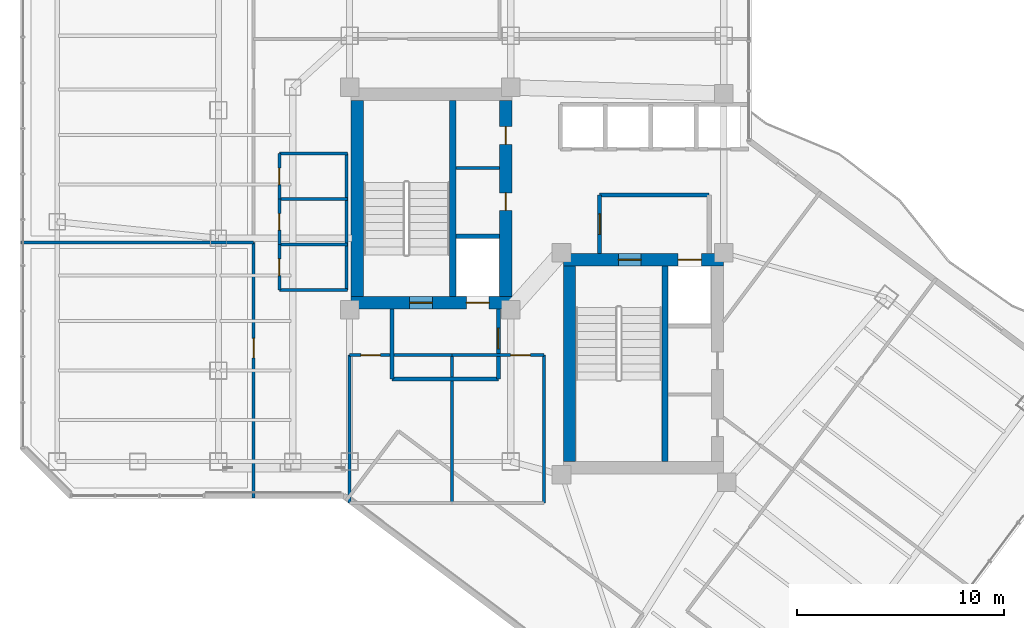
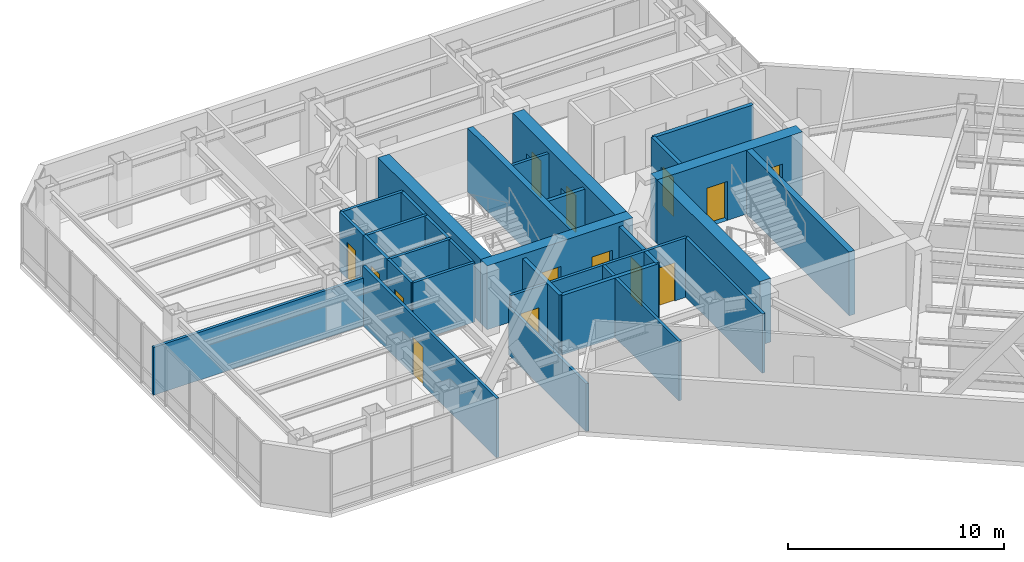
# One storey, part 22 of 27: 29 walls, 14 doors, 14 openings.
"""IFC4 building model written with IfcOpenShell, lengths in metres."""

from ifc_helpers import new_model, si_unit, direction, frame, frame_2d, origin, place, context, subcontext, project, spatial, rectangle, extrude, material, layer, layer_set, type_object, element, fill, save


model = new_model("IFC4")

# Units and contexts
model_context = context("Model", 3, precision=1e-05, world=origin(), true_north=direction((0.0, 1.0)))
body_context = subcontext(model_context, "Body", "Model", "MODEL_VIEW")
ifc_project = project(units=[si_unit("LENGTHUNIT", "METRE"), si_unit("AREAUNIT", "SQUARE_METRE"), si_unit("VOLUMEUNIT", "CUBIC_METRE"), si_unit("PLANEANGLEUNIT", "RADIAN"), si_unit("MASSUNIT", "GRAM", prefix="KILO")], contexts=[model_context])

# Site, building, storey
site_placement = place(None, origin())
site = spatial("IfcSite", under=ifc_project, at=site_placement, CompositionType="ELEMENT")
building_placement = place(site_placement, origin())
building = spatial("IfcBuilding", under=site, at=building_placement, Name="Hatsunagi Terrace Concourse", CompositionType="ELEMENT")
storey_placement = place(building_placement, frame((0.0, 0.0, 156.449951171875)))
storey = spatial("IfcBuildingStorey", under=building, at=storey_placement, Name="L41", CompositionType="ELEMENT", Elevation=156.449951171875)

# Wall, openings, doors
ifc_material_1 = material(Name="Concrete Fc48", Category="concrete")
ifc_layer_1 = layer(ifc_material_1, 0.60009765625)
ifc_layer_set_1 = layer_set([ifc_layer_1], Name="CoreShearWall_Fc48_600")
wall_type_1 = type_object("IfcWallType", Name="CoreShearWall_Fc48_600", PredefinedType="SHEAR", material=ifc_layer_set_1)
wall_1_placement = place(storey_placement, frame((25.6201171875, 32.889892578125, 0.0), z_axis=(0.0, 0.0, 1.0), x_axis=(1.0, 0.0, 0.0)))
wall_1 = element("IfcWall", 1, at=wall_1_placement, inside=storey, type_object=wall_type_1, Name="Core A Shear Wall S L41", PredefinedType="SHEAR", context=body_context, shape_type="SweptSolid", body=[
    extrude(rectangle(XDim=7.77978515625, YDim=0.60009765625, at=frame_2d((3.889892578125, 0.0))), origin(), (0.0, 0.0, 1.0), 3.60009765625),
])
opening_1_placement = place(wall_1_placement, frame((2.830078125, 0.0, 0.0)))
opening_1 = element("IfcOpeningElement", 2, at=opening_1_placement, cuts=wall_1, Name="Opening DR-110S", PredefinedType="OPENING", context=body_context, shape_type="SweptSolid", body=[
    extrude(rectangle(XDim=1.10009765625, YDim=2.199951171875, at=frame_2d((0.550048828125, 1.10009765625))), frame((0.0, 0.31005859375, 0.0), z_axis=(0.0, -1.0, 0.0), x_axis=(1.0, 0.0, 0.0)), (0.0, 0.0, 1.0), 0.6201171875),
])
opening_2_placement = place(wall_1_placement, frame((5.580078125, 0.0, 0.0)))
opening_2 = element("IfcOpeningElement", 3, at=opening_2_placement, cuts=wall_1, Name="Opening LD-01", PredefinedType="OPENING", context=body_context, shape_type="SweptSolid", body=[
    extrude(rectangle(XDim=1.10009765625, YDim=2.14990234375, at=frame_2d((0.550048828125, 1.074951171875))), frame((0.0, 0.31005859375, 0.0), z_axis=(0.0, -1.0, 0.0), x_axis=(1.0, 0.0, 0.0)), (0.0, 0.0, 1.0), 0.6201171875),
])
ifc_material_2 = material(Name="Stainless steel", Category="steel")
door_type_1 = type_object("IfcDoorType", Name="LiftLandingDoor_LD01", OperationType="SLIDING_TO_LEFT", PredefinedType="USERDEFINED", material=ifc_material_2)
door_1_placement = place(opening_2_placement, origin())
door_1 = element("IfcDoor", 4, at=door_1_placement, inside=storey, type_object=door_type_1, Name="Lift landing door FF-01 L41", ObjectType="SLIDING_LANDING_DOOR", OperationType="SLIDING_TO_LEFT", OverallHeight=2.14990234375, OverallWidth=1.10009765625, PredefinedType="USERDEFINED", context=body_context, shape_type="SweptSolid", body=[
    extrude(rectangle(XDim=1.10009765625, YDim=2.14990234375, at=frame_2d((0.550048828125, 1.074951171875))), frame((0.0, 0.02490234375, 0.0), z_axis=(0.0, -1.0, 0.0), x_axis=(1.0, 0.0, 0.0)), (0.0, 0.0, 1.0), 0.050048828125),
])
fill(opening_2, door_1)
ifc_material_3 = material(Name="Painted steel", Category="steel")
door_type_2 = type_object("IfcDoorType", Name="StairFireDoor_EI60_1100", OperationType="NOTDEFINED", PredefinedType="DOOR", material=ifc_material_3)
door_2_placement = place(opening_1_placement, origin())
door_2 = element("IfcDoor", 5, at=door_2_placement, inside=storey, type_object=door_type_2, Name="Stair ST-A Exit Door L41", OperationType="SINGLE_SWING_LEFT", OverallHeight=2.199951171875, OverallWidth=1.10009765625, PredefinedType="DOOR", context=body_context, shape_type="SweptSolid", body=[
    extrude(rectangle(XDim=1.10009765625, YDim=2.199951171875, at=frame_2d((0.550048828125, 1.10009765625))), frame((0.0, 0.02490234375, 0.0), z_axis=(0.0, -1.0, 0.0), x_axis=(1.0, 0.0, 0.0)), (0.0, 0.0, 1.0), 0.050048828125),
])
fill(opening_1, door_2)

# Wall
wall_2_placement = place(storey_placement, frame((25.919921875, 33.18994140625, 0.0), z_axis=(0.0, 0.0, 1.0), x_axis=(0.0, 1.0, 0.0)))
element("IfcWall", 6, at=wall_2_placement, inside=storey, type_object=wall_type_1, Name="Core A Shear Wall W L41", PredefinedType="SHEAR", context=body_context, shape_type="SweptSolid", body=[
    extrude(rectangle(XDim=9.47998046875, YDim=0.60009765625, at=frame_2d((4.739990234375, 0.0))), origin(), (0.0, 0.0, 1.0), 3.60009765625),
])

# Wall, openings, doors
wall_3_placement = place(storey_placement, frame((33.10009765625, 33.18994140625, 0.0), z_axis=(0.0, 0.0, 1.0), x_axis=(0.0, 1.0, 0.0)))
wall_3 = element("IfcWall", 7, at=wall_3_placement, inside=storey, type_object=wall_type_1, Name="Core A Shear Wall E L41", PredefinedType="SHEAR", context=body_context, shape_type="SweptSolid", body=[
    extrude(rectangle(XDim=9.47998046875, YDim=0.60009765625, at=frame_2d((4.739990234375, 0.0))), origin(), (0.0, 0.0, 1.0), 3.60009765625),
])
opening_3_placement = place(wall_3_placement, frame((4.159912109375, 0.0, 0.0)))
opening_3 = element("IfcOpeningElement", 8, at=opening_3_placement, cuts=wall_3, Name="Opening DR-085", PredefinedType="OPENING", context=body_context, shape_type="SweptSolid", body=[
    extrude(rectangle(XDim=0.85009765625, YDim=2.080078125, at=frame_2d((0.425048828125, 1.0400390625))), frame((0.0, 0.31005859375, 0.0), z_axis=(0.0, -1.0, 0.0), x_axis=(1.0, 0.0, 0.0)), (0.0, 0.0, 1.0), 0.6201171875),
])
opening_4_placement = place(wall_3_placement, frame((7.360107421875, 0.0, 0.0)))
opening_4 = element("IfcOpeningElement", 9, at=opening_4_placement, cuts=wall_3, Name="Opening DR-085", PredefinedType="OPENING", context=body_context, shape_type="SweptSolid", body=[
    extrude(rectangle(XDim=0.85009765625, YDim=2.080078125, at=frame_2d((0.425048828125, 1.0400390625))), frame((0.0, 0.31005859375, 0.0), z_axis=(0.0, -1.0, 0.0), x_axis=(1.0, 0.0, 0.0)), (0.0, 0.0, 1.0), 0.6201171875),
])
ifc_material_4 = material(Name="Painted steel", Category="steel")
door_type_3 = type_object("IfcDoorType", Name="RiserAccessDoor_EI60_850", OperationType="NOTDEFINED", PredefinedType="DOOR", material=ifc_material_4)
door_3_placement = place(opening_3_placement, origin())
door_3 = element("IfcDoor", 10, at=door_3_placement, inside=storey, type_object=door_type_3, Name="Core A Riser Door L41-1", OperationType="SINGLE_SWING_LEFT", OverallHeight=2.080078125, OverallWidth=0.85009765625, PredefinedType="DOOR", context=body_context, shape_type="SweptSolid", body=[
    extrude(rectangle(XDim=0.85009765625, YDim=2.080078125, at=frame_2d((0.425048828125, 1.0400390625))), frame((0.0, 0.02490234375, 0.0), z_axis=(0.0, -1.0, 0.0), x_axis=(1.0, 0.0, 0.0)), (0.0, 0.0, 1.0), 0.050048828125),
])
fill(opening_3, door_3)
door_4_placement = place(opening_4_placement, origin())
door_4 = element("IfcDoor", 11, at=door_4_placement, inside=storey, type_object=door_type_3, Name="Core A Riser Door L41-2", OperationType="SINGLE_SWING_LEFT", OverallHeight=2.080078125, OverallWidth=0.85009765625, PredefinedType="DOOR", context=body_context, shape_type="SweptSolid", body=[
    extrude(rectangle(XDim=0.85009765625, YDim=2.080078125, at=frame_2d((0.425048828125, 1.0400390625))), frame((0.0, 0.02490234375, 0.0), z_axis=(0.0, -1.0, 0.0), x_axis=(1.0, 0.0, 0.0)), (0.0, 0.0, 1.0), 0.050048828125),
])
fill(opening_4, door_4)

wall_4_placement = place(storey_placement, frame((35.889892578125, 34.969970703125, 0.0), z_axis=(0.0, 0.0, 1.0), x_axis=(1.0, 0.0, 0.0)))
wall_4 = element("IfcWall", 12, at=wall_4_placement, inside=storey, type_object=wall_type_1, Name="Core B Shear Wall N L41", PredefinedType="SHEAR", context=body_context, shape_type="SweptSolid", body=[
    extrude(rectangle(XDim=7.760009765625, YDim=0.60009765625, at=frame_2d((3.8798828125, 0.0))), origin(), (0.0, 0.0, 1.0), 3.60009765625),
])
opening_5_placement = place(wall_4_placement, frame((2.659912109375, 0.0, 0.0)))
opening_5 = element("IfcOpeningElement", 13, at=opening_5_placement, cuts=wall_4, Name="Opening DR-110S", PredefinedType="OPENING", context=body_context, shape_type="SweptSolid", body=[
    extrude(rectangle(XDim=1.10009765625, YDim=2.199951171875, at=frame_2d((0.550048828125, 1.10009765625))), frame((0.0, 0.31005859375, 0.0), z_axis=(0.0, -1.0, 0.0), x_axis=(1.0, 0.0, 0.0)), (0.0, 0.0, 1.0), 0.6201171875),
])
opening_6_placement = place(wall_4_placement, frame((5.56005859375, 0.0, 0.0)))
opening_6 = element("IfcOpeningElement", 14, at=opening_6_placement, cuts=wall_4, Name="Opening LD-02", PredefinedType="OPENING", context=body_context, shape_type="SweptSolid", body=[
    extrude(rectangle(XDim=1.1201171875, YDim=2.14990234375, at=frame_2d((0.56005859375, 1.074951171875))), frame((0.0, 0.31005859375, 0.0), z_axis=(0.0, -1.0, 0.0), x_axis=(1.0, 0.0, 0.0)), (0.0, 0.0, 1.0), 0.6201171875),
])
ifc_material_5 = material(Name="Stainless steel", Category="steel")
door_type_4 = type_object("IfcDoorType", Name="LiftLandingDoor_LD02", OperationType="SLIDING_TO_RIGHT", PredefinedType="USERDEFINED", material=ifc_material_5)
door_5_placement = place(opening_6_placement, origin())
door_5 = element("IfcDoor", 15, at=door_5_placement, inside=storey, type_object=door_type_4, Name="Lift landing door FF-02 L41", ObjectType="SLIDING_LANDING_DOOR", OperationType="SLIDING_TO_RIGHT", OverallHeight=2.14990234375, OverallWidth=1.1201171875, PredefinedType="USERDEFINED", context=body_context, shape_type="SweptSolid", body=[
    extrude(rectangle(XDim=1.1201171875, YDim=2.14990234375, at=frame_2d((0.56005859375, 1.074951171875))), frame((0.0, 0.02490234375, 0.0), z_axis=(0.0, -1.0, 0.0), x_axis=(1.0, 0.0, 0.0)), (0.0, 0.0, 1.0), 0.050048828125),
])
fill(opening_6, door_5)
door_6_placement = place(opening_5_placement, origin())
door_6 = element("IfcDoor", 16, at=door_6_placement, inside=storey, type_object=door_type_2, Name="Stair ST-B Exit Door L41", OperationType="SINGLE_SWING_RIGHT", OverallHeight=2.199951171875, OverallWidth=1.10009765625, PredefinedType="DOOR", context=body_context, shape_type="SweptSolid", body=[
    extrude(rectangle(XDim=1.10009765625, YDim=2.199951171875, at=frame_2d((0.550048828125, 1.10009765625))), frame((0.0, 0.02490234375, 0.0), z_axis=(0.0, -1.0, 0.0), x_axis=(1.0, 0.0, 0.0)), (0.0, 0.0, 1.0), 0.050048828125),
])
fill(opening_5, door_6)

# Walls
wall_5_placement = place(storey_placement, frame((36.18994140625, 25.18994140625, 0.0), z_axis=(0.0, 0.0, 1.0), x_axis=(0.0, 1.0, 0.0)))
element("IfcWall", 17, at=wall_5_placement, inside=storey, type_object=wall_type_1, Name="Core B Shear Wall W L41", PredefinedType="SHEAR", context=body_context, shape_type="SweptSolid", body=[
    extrude(rectangle(XDim=9.47998046875, YDim=0.60009765625, at=frame_2d((4.739990234375, 0.0))), origin(), (0.0, 0.0, 1.0), 3.60009765625),
])
ifc_material_6 = material(Name="Concrete Fc48", Category="concrete")
ifc_layer_2 = layer(ifc_material_6, 0.300048828125)
ifc_layer_set_2 = layer_set([ifc_layer_2], Name="CoreStairDivider_Fc48_300")
wall_type_2 = type_object("IfcWallType", Name="CoreStairDivider_Fc48_300", PredefinedType="SHEAR", material=ifc_layer_set_2)
for number, where, z_axis, x_axis, name in (
    (18, (30.5400390625, 33.18994140625, 0.0), (0.0, 0.0, 1.0), (0.0, 1.0, 0.0), "Core A Shear Wall D L41"),
    (19, (40.81005859375, 25.18994140625, 0.0), (0.0, 0.0, 1.0), (0.0, 1.0, 0.0), "Core B Shear Wall D L41"),
):
    element("IfcWall", number, at=place(storey_placement, frame(where, z_axis=z_axis, x_axis=x_axis)), inside=storey, type_object=wall_type_2, Name=name, PredefinedType="SHEAR", context=body_context, shape_type="SweptSolid", body=[
        extrude(rectangle(XDim=9.47998046875, YDim=0.300048828125, at=frame_2d((4.739990234375, 0.0))), origin(), (0.0, 0.0, 1.0), 3.60009765625),
    ])
ifc_material_7 = material(Name="Acoustic mineral board", Category="gypsum")
ifc_layer_3 = layer(ifc_material_7, 0.14990234375)
ifc_layer_set_3 = layer_set([ifc_layer_3], Name="PartitionWall_EI60_150")
wall_type_3 = type_object("IfcWallType", Name="PartitionWall_EI60_150", PredefinedType="PARTITIONING", material=ifc_layer_set_3)
wall_6_placement = place(storey_placement, frame((30.699951171875, 39.39990234375, 0.0), z_axis=(0.0, 0.0, 1.0), x_axis=(1.0, 0.0, 0.0)))
element("IfcWall", 20, at=wall_6_placement, inside=storey, type_object=wall_type_3, Name="Interior Partition IW-L41-002", PredefinedType="PARTITIONING", context=body_context, shape_type="SweptSolid", body=[
    extrude(rectangle(XDim=2.10009765625, YDim=0.14990234375, at=frame_2d((1.050048828125, 0.0))), origin(), (0.0, 0.0, 1.0), 3.35009765625),
])
for number, where, z_axis, x_axis, name in (
    (21, (22.14990234375, 33.5, 0.0), (0.0, 0.0, 1.0), (1.0, 0.0, 0.0), "Interior Partition IW-L41-017"),
    (22, (22.14990234375, 40.10009765625, 0.0), (0.0, 0.0, 1.0), (1.0, 0.0, 0.0), "Interior Partition IW-L41-018"),
):
    element("IfcWall", number, at=place(storey_placement, frame(where, z_axis=z_axis, x_axis=x_axis)), inside=storey, type_object=wall_type_3, Name=name, PredefinedType="PARTITIONING", context=body_context, shape_type="SweptSolid", body=[
        extrude(rectangle(XDim=3.300048828125, YDim=0.14990234375, at=frame_2d((1.64990234375, 0.0))), origin(), (0.0, 0.0, 1.0), 3.35009765625),
    ])
wall_7_placement = place(storey_placement, frame((25.39990234375, 33.5, 0.0), z_axis=(0.0, 0.0, 1.0), x_axis=(0.0, 1.0, 0.0)))
element("IfcWall", 23, at=wall_7_placement, inside=storey, type_object=wall_type_3, Name="Interior Partition IW-L41-019", PredefinedType="PARTITIONING", context=body_context, shape_type="SweptSolid", body=[
    extrude(rectangle(XDim=6.60009765625, YDim=0.14990234375, at=frame_2d((3.300048828125, 0.0))), origin(), (0.0, 0.0, 1.0), 3.35009765625),
])
for number, where, z_axis, x_axis, name in (
    (24, (22.14990234375, 35.699951171875, 0.0), (0.0, 0.0, 1.0), (1.0, 0.0, 0.0), "Interior Partition IW-L41-020"),
    (25, (22.14990234375, 37.89990234375, 0.0), (0.0, 0.0, 1.0), (1.0, 0.0, 0.0), "Interior Partition IW-L41-021"),
):
    element("IfcWall", number, at=place(storey_placement, frame(where, z_axis=z_axis, x_axis=x_axis)), inside=storey, type_object=wall_type_3, Name=name, PredefinedType="PARTITIONING", context=body_context, shape_type="SweptSolid", body=[
        extrude(rectangle(XDim=3.300048828125, YDim=0.14990234375, at=frame_2d((1.64990234375, 0.0))), origin(), (0.0, 0.0, 1.0), 3.35009765625),
    ])

# Wall, opening, door
wall_8_placement = place(storey_placement, frame((22.14990234375, 33.5, 0.0), z_axis=(0.0, 0.0, 1.0), x_axis=(0.0, 1.0, 0.0)))
wall_8 = element("IfcWall", 26, at=wall_8_placement, inside=storey, type_object=wall_type_3, Name="Interior Partition IW-L41-022", PredefinedType="PARTITIONING", context=body_context, shape_type="SweptSolid", body=[
    extrude(rectangle(XDim=2.199951171875, YDim=0.14990234375, at=frame_2d((1.10009765625, 0.0))), origin(), (0.0, 0.0, 1.0), 3.35009765625),
])
opening_7_placement = place(wall_8_placement, frame((0.699951171875, 0.0, 0.0)))
opening_7 = element("IfcOpeningElement", 27, at=opening_7_placement, cuts=wall_8, Name="Opening DR-080", PredefinedType="OPENING", context=body_context, shape_type="SweptSolid", body=[
    extrude(rectangle(XDim=0.800048828125, YDim=2.06005859375, at=frame_2d((0.39990234375, 1.030029296875))), frame((0.0, 0.0849609375, 0.0), z_axis=(0.0, -1.0, 0.0), x_axis=(1.0, 0.0, 0.0)), (0.0, 0.0, 1.0), 0.169921875),
])
ifc_material_8 = material(Name="Hardwood timber", Category="wood")
door_type_5 = type_object("IfcDoorType", Name="BathroomDoor_800", OperationType="NOTDEFINED", PredefinedType="DOOR", material=ifc_material_8)
door_7_placement = place(opening_7_placement, origin())
door_7 = element("IfcDoor", 28, at=door_7_placement, inside=storey, type_object=door_type_5, Name="Accessible WC Door L41", OperationType="SINGLE_SWING_RIGHT", OverallHeight=2.06005859375, OverallWidth=0.800048828125, PredefinedType="DOOR", context=body_context, shape_type="SweptSolid", body=[
    extrude(rectangle(XDim=0.800048828125, YDim=2.06005859375, at=frame_2d((0.39990234375, 1.030029296875))), frame((0.0, 0.02490234375, 0.0), z_axis=(0.0, -1.0, 0.0), x_axis=(1.0, 0.0, 0.0)), (0.0, 0.0, 1.0), 0.050048828125),
])
fill(opening_7, door_7)

wall_9_placement = place(storey_placement, frame((22.14990234375, 35.699951171875, 0.0), z_axis=(0.0, 0.0, 1.0), x_axis=(0.0, 1.0, 0.0)))
wall_9 = element("IfcWall", 29, at=wall_9_placement, inside=storey, type_object=wall_type_3, Name="Interior Partition IW-L41-023", PredefinedType="PARTITIONING", context=body_context, shape_type="SweptSolid", body=[
    extrude(rectangle(XDim=2.199951171875, YDim=0.14990234375, at=frame_2d((1.10009765625, 0.0))), origin(), (0.0, 0.0, 1.0), 3.35009765625),
])
opening_8_placement = place(wall_9_placement, frame((0.699951171875, 0.0, 0.0)))
opening_8 = element("IfcOpeningElement", 30, at=opening_8_placement, cuts=wall_9, Name="Opening DR-080", PredefinedType="OPENING", context=body_context, shape_type="SweptSolid", body=[
    extrude(rectangle(XDim=0.800048828125, YDim=2.06005859375, at=frame_2d((0.39990234375, 1.030029296875))), frame((0.0, 0.0849609375, 0.0), z_axis=(0.0, -1.0, 0.0), x_axis=(1.0, 0.0, 0.0)), (0.0, 0.0, 1.0), 0.169921875),
])
door_8_placement = place(opening_8_placement, origin())
door_8 = element("IfcDoor", 31, at=door_8_placement, inside=storey, type_object=door_type_5, Name="Female Restroom Door L41", OperationType="SINGLE_SWING_RIGHT", OverallHeight=2.06005859375, OverallWidth=0.800048828125, PredefinedType="DOOR", context=body_context, shape_type="SweptSolid", body=[
    extrude(rectangle(XDim=0.800048828125, YDim=2.06005859375, at=frame_2d((0.39990234375, 1.030029296875))), frame((0.0, 0.02490234375, 0.0), z_axis=(0.0, -1.0, 0.0), x_axis=(1.0, 0.0, 0.0)), (0.0, 0.0, 1.0), 0.050048828125),
])
fill(opening_8, door_8)

wall_10_placement = place(storey_placement, frame((22.14990234375, 37.89990234375, 0.0), z_axis=(0.0, 0.0, 1.0), x_axis=(0.0, 1.0, 0.0)))
wall_10 = element("IfcWall", 32, at=wall_10_placement, inside=storey, type_object=wall_type_3, Name="Interior Partition IW-L41-024", PredefinedType="PARTITIONING", context=body_context, shape_type="SweptSolid", body=[
    extrude(rectangle(XDim=2.2001953125, YDim=0.14990234375, at=frame_2d((1.10009765625, 0.0))), origin(), (0.0, 0.0, 1.0), 3.35009765625),
])
opening_9_placement = place(wall_10_placement, frame((0.699951171875, 0.0, 0.0)))
opening_9 = element("IfcOpeningElement", 33, at=opening_9_placement, cuts=wall_10, Name="Opening DR-080", PredefinedType="OPENING", context=body_context, shape_type="SweptSolid", body=[
    extrude(rectangle(XDim=0.800048828125, YDim=2.06005859375, at=frame_2d((0.39990234375, 1.030029296875))), frame((0.0, 0.0849609375, 0.0), z_axis=(0.0, -1.0, 0.0), x_axis=(1.0, 0.0, 0.0)), (0.0, 0.0, 1.0), 0.169921875),
])
door_9_placement = place(opening_9_placement, origin())
door_9 = element("IfcDoor", 34, at=door_9_placement, inside=storey, type_object=door_type_5, Name="Male Restroom Door L41", OperationType="SINGLE_SWING_RIGHT", OverallHeight=2.06005859375, OverallWidth=0.800048828125, PredefinedType="DOOR", context=body_context, shape_type="SweptSolid", body=[
    extrude(rectangle(XDim=0.800048828125, YDim=2.06005859375, at=frame_2d((0.39990234375, 1.030029296875))), frame((0.0, 0.02490234375, 0.0), z_axis=(0.0, -1.0, 0.0), x_axis=(1.0, 0.0, 0.0)), (0.0, 0.0, 1.0), 0.050048828125),
])
fill(opening_9, door_9)

wall_11_placement = place(storey_placement, frame((25.550048828125, 30.35009765625, 0.0), z_axis=(0.0, 0.0, 1.0), x_axis=(1.0, 0.0, 0.0)))
wall_11 = element("IfcWall", 35, at=wall_11_placement, inside=storey, type_object=wall_type_3, Name="Interior Partition IW-L41-026", PredefinedType="PARTITIONING", context=body_context, shape_type="SweptSolid", body=[
    extrude(rectangle(XDim=4.949951171875, YDim=0.14990234375, at=frame_2d((2.47509765625, 0.0))), origin(), (0.0, 0.0, 1.0), 3.35009765625),
])
opening_10_placement = place(wall_11_placement, frame((0.5419921875, 0.0, 0.0)))
opening_10 = element("IfcOpeningElement", 36, at=opening_10_placement, cuts=wall_11, Name="Opening DR-095", PredefinedType="OPENING", context=body_context, shape_type="SweptSolid", body=[
    extrude(rectangle(XDim=0.949951171875, YDim=2.14990234375, at=frame_2d((0.47509765625, 1.074951171875))), frame((0.0, 0.0849609375, 0.0), z_axis=(0.0, -1.0, 0.0), x_axis=(1.0, 0.0, 0.0)), (0.0, 0.0, 1.0), 0.169921875),
])
ifc_material_9 = material(Name="Hardwood timber", Category="wood")
door_type_6 = type_object("IfcDoorType", Name="InteriorSuiteDoor_EI30_950", OperationType="NOTDEFINED", PredefinedType="DOOR", material=ifc_material_9)
door_10_placement = place(opening_10_placement, origin())
door_10 = element("IfcDoor", 37, at=door_10_placement, inside=storey, type_object=door_type_6, Name="Breakout Pantry L41-RECL1 Door", OperationType="SINGLE_SWING_RIGHT", OverallHeight=2.14990234375, OverallWidth=0.949951171875, PredefinedType="DOOR", context=body_context, shape_type="SweptSolid", body=[
    extrude(rectangle(XDim=0.949951171875, YDim=2.14990234375, at=frame_2d((0.47509765625, 1.074951171875))), frame((0.0, 0.02490234375, 0.0), z_axis=(0.0, -1.0, 0.0), x_axis=(1.0, 0.0, 0.0)), (0.0, 0.0, 1.0), 0.050048828125),
])
fill(opening_10, door_10)

# Walls
wall_12_placement = place(storey_placement, frame((25.550048828125, 23.199951171875, 0.0), z_axis=(0.0, 0.0, 1.0), x_axis=(0.0, 1.0, 0.0)))
element("IfcWall", 38, at=wall_12_placement, inside=storey, type_object=wall_type_3, Name="Interior Partition IW-L41-027", PredefinedType="PARTITIONING", context=body_context, shape_type="SweptSolid", body=[
    extrude(rectangle(XDim=7.150146484375, YDim=0.14990234375, at=frame_2d((3.5751953125, 0.0))), origin(), (0.0, 0.0, 1.0), 2.695068359375),
])
wall_13_placement = place(storey_placement, frame((30.5, 23.199951171875, 0.0), z_axis=(0.0, 0.0, 1.0), x_axis=(0.0, 1.0, 0.0)))
element("IfcWall", 39, at=wall_13_placement, inside=storey, type_object=wall_type_3, Name="Interior Partition IW-L41-028", PredefinedType="PARTITIONING", context=body_context, shape_type="SweptSolid", body=[
    extrude(rectangle(XDim=7.150146484375, YDim=0.14990234375, at=frame_2d((3.5751953125, 0.0))), origin(), (0.0, 0.0, 1.0), 3.35009765625),
])

# Wall, opening, door
wall_14_placement = place(storey_placement, frame((30.5, 30.35009765625, 0.0), z_axis=(0.0, 0.0, 1.0), x_axis=(1.0, 0.0, 0.0)))
wall_14 = element("IfcWall", 40, at=wall_14_placement, inside=storey, type_object=wall_type_3, Name="Interior Partition IW-L41-030", PredefinedType="PARTITIONING", context=body_context, shape_type="SweptSolid", body=[
    extrude(rectangle(XDim=4.449951171875, YDim=0.14990234375, at=frame_2d((2.22509765625, 0.0))), origin(), (0.0, 0.0, 1.0), 3.35009765625),
])
opening_11_placement = place(wall_14_placement, frame((2.845947265625, 0.0, 0.0)))
opening_11 = element("IfcOpeningElement", 41, at=opening_11_placement, cuts=wall_14, Name="Opening DR-095", PredefinedType="OPENING", context=body_context, shape_type="SweptSolid", body=[
    extrude(rectangle(XDim=0.949951171875, YDim=2.14990234375, at=frame_2d((0.47509765625, 1.074951171875))), frame((0.0, 0.0849609375, 0.0), z_axis=(0.0, -1.0, 0.0), x_axis=(1.0, 0.0, 0.0)), (0.0, 0.0, 1.0), 0.169921875),
])
door_11_placement = place(opening_11_placement, origin())
door_11 = element("IfcDoor", 42, at=door_11_placement, inside=storey, type_object=door_type_6, Name="Focus Room L41-RECL2 Door", OperationType="SINGLE_SWING_RIGHT", OverallHeight=2.14990234375, OverallWidth=0.949951171875, PredefinedType="DOOR", context=body_context, shape_type="SweptSolid", body=[
    extrude(rectangle(XDim=0.949951171875, YDim=2.14990234375, at=frame_2d((0.47509765625, 1.074951171875))), frame((0.0, 0.02490234375, 0.0), z_axis=(0.0, -1.0, 0.0), x_axis=(1.0, 0.0, 0.0)), (0.0, 0.0, 1.0), 0.050048828125),
])
fill(opening_11, door_11)

# Walls
wall_15_placement = place(storey_placement, frame((34.949951171875, 23.199951171875, 0.0), z_axis=(0.0, 0.0, 1.0), x_axis=(0.0, 1.0, 0.0)))
element("IfcWall", 43, at=wall_15_placement, inside=storey, type_object=wall_type_3, Name="Interior Partition IW-L41-031", PredefinedType="PARTITIONING", context=body_context, shape_type="SweptSolid", body=[
    extrude(rectangle(XDim=7.150146484375, YDim=0.14990234375, at=frame_2d((3.5751953125, 0.0))), origin(), (0.0, 0.0, 1.0), 3.35009765625),
])
wall_16_placement = place(storey_placement, frame((9.639892578125, 35.800048828125, 0.0), z_axis=(0.0, 0.0, 1.0), x_axis=(1.0, 0.0, 0.0)))
element("IfcWall", 44, at=wall_16_placement, inside=storey, type_object=wall_type_3, Name="Interior Partition IW-L41-032", PredefinedType="PARTITIONING", context=body_context, shape_type="SweptSolid", body=[
    extrude(rectangle(XDim=11.260009765625, YDim=0.14990234375, at=frame_2d((5.6298828125, 0.0))), origin(), (0.0, 0.0, 1.0), 2.695068359375),
])

# Wall, opening, door
wall_17_placement = place(storey_placement, frame((20.89990234375, 23.43994140625, 0.0), z_axis=(0.0, 0.0, 1.0), x_axis=(0.0, 1.0, 0.0)))
wall_17 = element("IfcWall", 45, at=wall_17_placement, inside=storey, type_object=wall_type_3, Name="Interior Partition IW-L41-033", PredefinedType="PARTITIONING", context=body_context, shape_type="SweptSolid", body=[
    extrude(rectangle(XDim=12.360107421875, YDim=0.14990234375, at=frame_2d((6.18017578125, 0.0))), origin(), (0.0, 0.0, 1.0), 3.35009765625),
])
opening_12_placement = place(wall_17_placement, frame((6.77001953125, 0.0, 0.0)))
opening_12 = element("IfcOpeningElement", 46, at=opening_12_placement, cuts=wall_17, Name="Opening DR-095", PredefinedType="OPENING", context=body_context, shape_type="SweptSolid", body=[
    extrude(rectangle(XDim=0.949951171875, YDim=2.14990234375, at=frame_2d((0.47509765625, 1.074951171875))), frame((0.0, 0.0849609375, 0.0), z_axis=(0.0, -1.0, 0.0), x_axis=(1.0, 0.0, 0.0)), (0.0, 0.0, 1.0), 0.169921875),
])
door_12_placement = place(opening_12_placement, origin())
door_12 = element("IfcDoor", 47, at=door_12_placement, inside=storey, type_object=door_type_6, Name="Open Plan Office L41-OW1 Door", OperationType="SINGLE_SWING_RIGHT", OverallHeight=2.14990234375, OverallWidth=0.949951171875, PredefinedType="DOOR", context=body_context, shape_type="SweptSolid", body=[
    extrude(rectangle(XDim=0.949951171875, YDim=2.14990234375, at=frame_2d((0.47509765625, 1.074951171875))), frame((0.0, 0.02490234375, 0.0), z_axis=(0.0, -1.0, 0.0), x_axis=(1.0, 0.0, 0.0)), (0.0, 0.0, 1.0), 0.050048828125),
])
fill(opening_12, door_12)

# Walls
ifc_material_10 = material(Name="Acoustic mineral board", Category="gypsum")
ifc_layer_4 = layer(ifc_material_10, 0.199951171875)
ifc_layer_set_4 = layer_set([ifc_layer_4], Name="ShaftWall_EI120_200")
wall_type_4 = type_object("IfcWallType", Name="ShaftWall_EI120_200", PredefinedType="STANDARD", material=ifc_layer_set_4)
wall_18_placement = place(storey_placement, frame((30.699951171875, 36.10009765625, 0.0), z_axis=(0.0, 0.0, 1.0), x_axis=(1.0, 0.0, 0.0)))
element("IfcWall", 48, at=wall_18_placement, inside=storey, type_object=wall_type_4, Name="Interior Partition IW-L41-001", PredefinedType="STANDARD", context=body_context, shape_type="SweptSolid", body=[
    extrude(rectangle(XDim=2.10009765625, YDim=0.199951171875, at=frame_2d((1.050048828125, 0.0))), origin(), (0.0, 0.0, 1.0), 3.35009765625),
])
wall_19_placement = place(storey_placement, frame((27.60009765625, 29.199951171875, 0.0), z_axis=(0.0, 0.0, 1.0), x_axis=(1.0, 0.0, 0.0)))
element("IfcWall", 49, at=wall_19_placement, inside=storey, type_object=wall_type_4, Name="Interior Partition IW-L41-005", PredefinedType="STANDARD", context=body_context, shape_type="SweptSolid", body=[
    extrude(rectangle(XDim=5.14990234375, YDim=0.199951171875, at=frame_2d((2.574951171875, 0.0))), origin(), (0.0, 0.0, 1.0), 3.35009765625),
])
wall_20_placement = place(storey_placement, frame((27.60009765625, 29.199951171875, 0.0), z_axis=(0.0, 0.0, 1.0), x_axis=(0.0, 1.0, 0.0)))
element("IfcWall", 50, at=wall_20_placement, inside=storey, type_object=wall_type_4, Name="Interior Partition IW-L41-006", PredefinedType="STANDARD", context=body_context, shape_type="SweptSolid", body=[
    extrude(rectangle(XDim=3.39013671875, YDim=0.199951171875, at=frame_2d((1.695068359375, 0.0))), origin(), (0.0, 0.0, 1.0), 3.35009765625),
])

# Wall, opening, door
wall_21_placement = place(storey_placement, frame((32.75, 29.199951171875, 0.0), z_axis=(0.0, 0.0, 1.0), x_axis=(0.0, 1.0, 0.0)))
wall_21 = element("IfcWall", 51, at=wall_21_placement, inside=storey, type_object=wall_type_4, Name="Interior Partition IW-L41-007", PredefinedType="STANDARD", context=body_context, shape_type="SweptSolid", body=[
    extrude(rectangle(XDim=3.39013671875, YDim=0.199951171875, at=frame_2d((1.695068359375, 0.0))), origin(), (0.0, 0.0, 1.0), 3.35009765625),
])
opening_13_placement = place(wall_21_placement, frame((1.449951171875, 0.0, 0.0)))
opening_13 = element("IfcOpeningElement", 52, at=opening_13_placement, cuts=wall_21, Name="Opening DR-100F", PredefinedType="OPENING", context=body_context, shape_type="SweptSolid", body=[
    extrude(rectangle(XDim=1.0, YDim=2.199951171875, at=frame_2d((0.5, 1.10009765625))), frame((0.0, 0.10986328125, 0.0), z_axis=(0.0, -1.0, 0.0), x_axis=(1.0, 0.0, 0.0)), (0.0, 0.0, 1.0), 0.219970703125),
])
ifc_material_11 = material(Name="Painted steel", Category="steel")
door_type_7 = type_object("IfcDoorType", Name="FireDoor_EI60_1000", OperationType="NOTDEFINED", PredefinedType="DOOR", material=ifc_material_11)
door_13_placement = place(opening_13_placement, origin())
door_13 = element("IfcDoor", 53, at=door_13_placement, inside=storey, type_object=door_type_7, Name="Firefighting Lobby A Door L41", OperationType="SINGLE_SWING_RIGHT", OverallHeight=2.199951171875, OverallWidth=1.0, PredefinedType="DOOR", context=body_context, shape_type="SweptSolid", body=[
    extrude(rectangle(XDim=1.0, YDim=2.199951171875, at=frame_2d((0.5, 1.10009765625))), frame((0.0, 0.02490234375, 0.0), z_axis=(0.0, -1.0, 0.0), x_axis=(1.0, 0.0, 0.0)), (0.0, 0.0, 1.0), 0.050048828125),
])
fill(opening_13, door_13)

# Wall
wall_22_placement = place(storey_placement, frame((37.64990234375, 38.10009765625, 0.0), z_axis=(0.0, 0.0, 1.0), x_axis=(1.0, 0.0, 0.0)))
element("IfcWall", 54, at=wall_22_placement, inside=storey, type_object=wall_type_4, Name="Interior Partition IW-L41-008", PredefinedType="STANDARD", context=body_context, shape_type="SweptSolid", body=[
    extrude(rectangle(XDim=5.300048828125, YDim=0.199951171875, at=frame_2d((2.64990234375, 0.0))), origin(), (0.0, 0.0, 1.0), 3.35009765625),
])

# Wall, opening, door
wall_23_placement = place(storey_placement, frame((37.64990234375, 35.27001953125, 0.0), z_axis=(0.0, 0.0, 1.0), x_axis=(0.0, 1.0, 0.0)))
wall_23 = element("IfcWall", 55, at=wall_23_placement, inside=storey, type_object=wall_type_4, Name="Interior Partition IW-L41-010", PredefinedType="STANDARD", context=body_context, shape_type="SweptSolid", body=[
    extrude(rectangle(XDim=2.830078125, YDim=0.199951171875, at=frame_2d((1.4150390625, 0.0))), origin(), (0.0, 0.0, 1.0), 3.35009765625),
])
opening_14_placement = place(wall_23_placement, frame((0.9150390625, 0.0, 0.0)))
opening_14 = element("IfcOpeningElement", 56, at=opening_14_placement, cuts=wall_23, Name="Opening DR-100F", PredefinedType="OPENING", context=body_context, shape_type="SweptSolid", body=[
    extrude(rectangle(XDim=1.0, YDim=2.199951171875, at=frame_2d((0.5, 1.10009765625))), frame((0.0, 0.10986328125, 0.0), z_axis=(0.0, -1.0, 0.0), x_axis=(1.0, 0.0, 0.0)), (0.0, 0.0, 1.0), 0.219970703125),
])
door_14_placement = place(opening_14_placement, origin())
door_14 = element("IfcDoor", 57, at=door_14_placement, inside=storey, type_object=door_type_7, Name="Firefighting Lobby B Door L41", OperationType="SINGLE_SWING_RIGHT", OverallHeight=2.199951171875, OverallWidth=1.0, PredefinedType="DOOR", context=body_context, shape_type="SweptSolid", body=[
    extrude(rectangle(XDim=1.0, YDim=2.199951171875, at=frame_2d((0.5, 1.10009765625))), frame((0.0, 0.02490234375, 0.0), z_axis=(0.0, -1.0, 0.0), x_axis=(1.0, 0.0, 0.0)), (0.0, 0.0, 1.0), 0.050048828125),
])
fill(opening_14, door_14)

save(model, "model.ifc")
